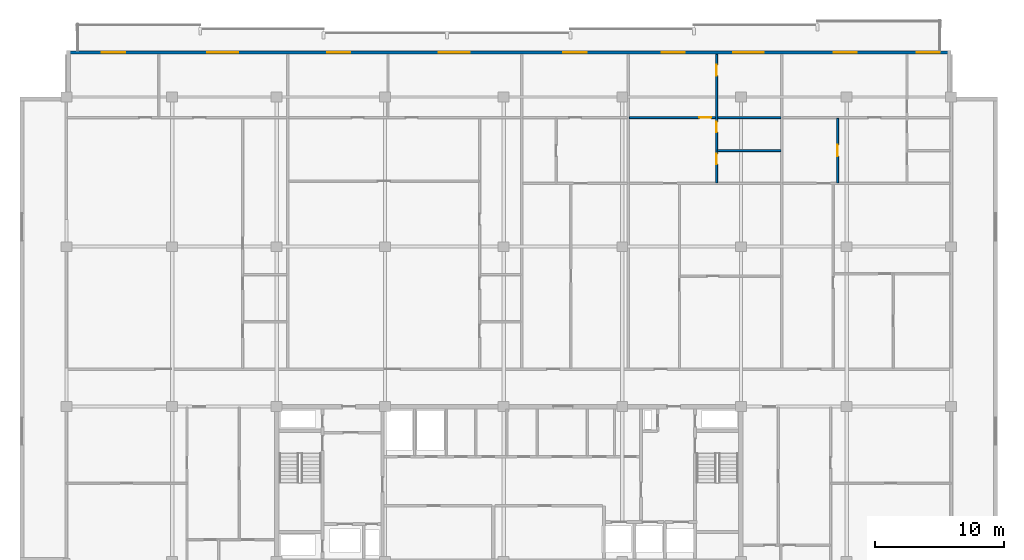
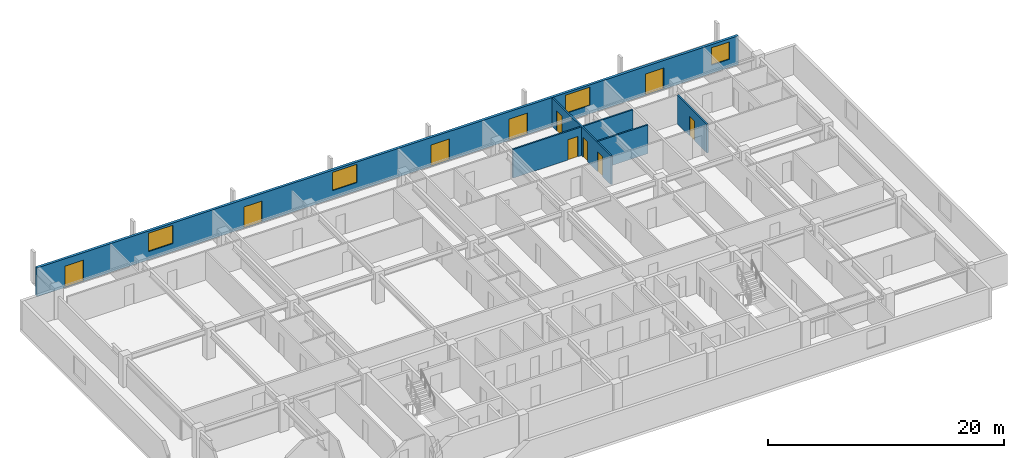
# One storey, part 15 of 22: 10 doors, 5 walls, 4 windows, 14 openings.
"""IFC4 building model written with IfcOpenShell, lengths in metres."""

from ifc_helpers import new_model, si_unit, direction, frame, frame_2d, origin, place, context, subcontext, project, spatial, rectangle, extrude, material, layer, layer_set, type_object, element, fill, save


model = new_model("IFC4")

# Units and contexts
model_context = context("Model", 3, precision=1e-05, world=origin(), true_north=direction((0.0, 1.0)))
body_context = subcontext(model_context, "Body", "Model", "MODEL_VIEW")
ifc_project = project(units=[si_unit("LENGTHUNIT", "METRE"), si_unit("AREAUNIT", "SQUARE_METRE"), si_unit("VOLUMEUNIT", "CUBIC_METRE"), si_unit("PLANEANGLEUNIT", "RADIAN"), si_unit("MASSUNIT", "GRAM", prefix="KILO")], contexts=[model_context])

# Site, building, storey
site_placement = place(None, origin())
site = spatial("IfcSite", under=ifc_project, at=site_placement, CompositionType="ELEMENT")
building_placement = place(site_placement, origin())
building = spatial("IfcBuilding", under=site, at=building_placement, Name="Korimba Cascade Residences", CompositionType="ELEMENT")
storey_placement = place(building_placement, frame((0.0, 0.0, 181.60009765625)))
storey = spatial("IfcBuildingStorey", under=building, at=storey_placement, Name="L52", CompositionType="ELEMENT", Elevation=181.60009765625)

# Wall, openings, doors, windows
ifc_material_1 = material(Name="Precast concrete C40/50", Category="concrete")
ifc_layer_1 = layer(ifc_material_1, 0.25)
ifc_layer_set_1 = layer_set([ifc_layer_1], Name="Precast concrete C40/50")
wall_type_1 = type_object("IfcWallType", Name="EW-LOG-250", PredefinedType="STANDARD", material=ifc_layer_set_1)
wall_1_placement = place(storey_placement, frame((128.39990234375, 94.64990234375, 0.0), z_axis=(0.0, 0.0, 1.0), x_axis=(-1.0, 0.0, 0.0)))
wall_1 = element("IfcWall", 1, at=wall_1_placement, inside=storey, type_object=wall_type_1, Name="L52 T1 Perimeter Stone Wall E06", PredefinedType="STANDARD", context=body_context, shape_type="SweptSolid", body=[
    extrude(rectangle(XDim=68.599853515625, YDim=0.25, at=frame_2d((34.2998046875, 0.0))), origin(), (0.0, 0.0, 1.0), 2.969970703125),
])
opening_1_placement = place(wall_1_placement, frame((64.057861328125, 0.0, 0.0)))
opening_1 = element("IfcOpeningElement", 2, at=opening_1_placement, cuts=wall_1, Name="Opening D-LG1", PredefinedType="OPENING", context=body_context, shape_type="SweptSolid", body=[
    extrude(rectangle(XDim=1.800048828125, YDim=2.199951171875, at=frame_2d((0.89990234375, 1.10009765625))), frame((0.0, 0.135009765625, 0.0), z_axis=(0.0, -1.0, 0.0), x_axis=(1.0, 0.0, 0.0)), (0.0, 0.0, 1.0), 0.27001953125),
])
opening_2_placement = place(wall_1_placement, frame((55.2939453125, 0.0, 0.85009765625)))
opening_2 = element("IfcOpeningElement", 3, at=opening_2_placement, cuts=wall_1, Name="Opening W-01", PredefinedType="OPENING", context=body_context, shape_type="SweptSolid", body=[
    extrude(rectangle(XDim=2.39990234375, YDim=1.89990234375, at=frame_2d((1.199951171875, 0.949951171875))), frame((0.0, 0.135009765625, 0.0), z_axis=(0.0, -1.0, 0.0), x_axis=(1.0, 0.0, 0.0)), (0.0, 0.0, 1.0), 0.27001953125),
])
opening_3_placement = place(wall_1_placement, frame((46.58837890625, 0.0, 0.0)))
opening_3 = element("IfcOpeningElement", 4, at=opening_3_placement, cuts=wall_1, Name="Opening D-LG1", PredefinedType="OPENING", context=body_context, shape_type="SweptSolid", body=[
    extrude(rectangle(XDim=1.800048828125, YDim=2.199951171875, at=frame_2d((0.89990234375, 1.10009765625))), frame((0.0, 0.135009765625, 0.0), z_axis=(0.0, -1.0, 0.0), x_axis=(1.0, 0.0, 0.0)), (0.0, 0.0, 1.0), 0.27001953125),
])
opening_4_placement = place(wall_1_placement, frame((37.3369140625, 0.0, 0.85009765625)))
opening_4 = element("IfcOpeningElement", 5, at=opening_4_placement, cuts=wall_1, Name="Opening W-01", PredefinedType="OPENING", context=body_context, shape_type="SweptSolid", body=[
    extrude(rectangle(XDim=2.39990234375, YDim=1.89990234375, at=frame_2d((1.199951171875, 0.949951171875))), frame((0.0, 0.135009765625, 0.0), z_axis=(0.0, -1.0, 0.0), x_axis=(1.0, 0.0, 0.0)), (0.0, 0.0, 1.0), 0.27001953125),
])
opening_5_placement = place(wall_1_placement, frame((28.259033203125, 0.0, 0.0)))
opening_5 = element("IfcOpeningElement", 6, at=opening_5_placement, cuts=wall_1, Name="Opening D-LG1", PredefinedType="OPENING", context=body_context, shape_type="SweptSolid", body=[
    extrude(rectangle(XDim=1.800048828125, YDim=2.199951171875, at=frame_2d((0.89990234375, 1.10009765625))), frame((0.0, 0.135009765625, 0.0), z_axis=(0.0, -1.0, 0.0), x_axis=(1.0, 0.0, 0.0)), (0.0, 0.0, 1.0), 0.27001953125),
])
opening_6_placement = place(wall_1_placement, frame((20.644775390625, 0.0, 0.0)))
opening_6 = element("IfcOpeningElement", 7, at=opening_6_placement, cuts=wall_1, Name="Opening D-LG1", PredefinedType="OPENING", context=body_context, shape_type="SweptSolid", body=[
    extrude(rectangle(XDim=1.800048828125, YDim=2.199951171875, at=frame_2d((0.89990234375, 1.10009765625))), frame((0.0, 0.135009765625, 0.0), z_axis=(0.0, -1.0, 0.0), x_axis=(1.0, 0.0, 0.0)), (0.0, 0.0, 1.0), 0.27001953125),
])
opening_7_placement = place(wall_1_placement, frame((14.511474609375, 0.0, 0.85009765625)))
opening_7 = element("IfcOpeningElement", 8, at=opening_7_placement, cuts=wall_1, Name="Opening W-01", PredefinedType="OPENING", context=body_context, shape_type="SweptSolid", body=[
    extrude(rectangle(XDim=2.39990234375, YDim=1.89990234375, at=frame_2d((1.199951171875, 0.949951171875))), frame((0.0, 0.135009765625, 0.0), z_axis=(0.0, -1.0, 0.0), x_axis=(1.0, 0.0, 0.0)), (0.0, 0.0, 1.0), 0.27001953125),
])
opening_8_placement = place(wall_1_placement, frame((7.311279296875, 0.0, 0.0)))
opening_8 = element("IfcOpeningElement", 9, at=opening_8_placement, cuts=wall_1, Name="Opening D-LG1", PredefinedType="OPENING", context=body_context, shape_type="SweptSolid", body=[
    extrude(rectangle(XDim=1.800048828125, YDim=2.199951171875, at=frame_2d((0.89990234375, 1.10009765625))), frame((0.0, 0.135009765625, 0.0), z_axis=(0.0, -1.0, 0.0), x_axis=(1.0, 0.0, 0.0)), (0.0, 0.0, 1.0), 0.27001953125),
])
opening_9_placement = place(wall_1_placement, frame((0.8701171875, 0.0, 0.85009765625)))
opening_9 = element("IfcOpeningElement", 10, at=opening_9_placement, cuts=wall_1, Name="Opening W-02", PredefinedType="OPENING", context=body_context, shape_type="SweptSolid", body=[
    extrude(rectangle(XDim=1.800048828125, YDim=1.800048828125, at=frame_2d((0.89990234375, 0.89990234375))), frame((0.0, 0.135009765625, 0.0), z_axis=(0.0, -1.0, 0.0), x_axis=(1.0, 0.0, 0.0)), (0.0, 0.0, 1.0), 0.27001953125),
])
ifc_material_2 = material(Name="Glazed Aluminium Loggia Sliding Door", Category="aluminium")
door_type_1 = type_object("IfcDoorType", Name="DR-EXT-LOG", OperationType="NOTDEFINED", PredefinedType="DOOR", material=ifc_material_2)
door_1_placement = place(opening_1_placement, origin())
door_1 = element("IfcDoor", 11, at=door_1_placement, inside=storey, type_object=door_type_1, Name="L52 T1 Loggia Sliding Door 3", OperationType="SLIDING_TO_LEFT", OverallHeight=2.199951171875, OverallWidth=1.800048828125, PredefinedType="DOOR", context=body_context, shape_type="SweptSolid", body=[
    extrude(rectangle(XDim=1.800048828125, YDim=2.199951171875, at=frame_2d((0.89990234375, 1.10009765625))), frame((0.0, 0.02490234375, 0.0), z_axis=(0.0, -1.0, 0.0), x_axis=(1.0, 0.0, 0.0)), (0.0, 0.0, 1.0), 0.050048828125),
])
fill(opening_1, door_1)
door_2_placement = place(opening_3_placement, origin())
door_2 = element("IfcDoor", 12, at=door_2_placement, inside=storey, type_object=door_type_1, Name="L52 T1 Loggia Sliding Door 5", OperationType="SLIDING_TO_LEFT", OverallHeight=2.199951171875, OverallWidth=1.800048828125, PredefinedType="DOOR", context=body_context, shape_type="SweptSolid", body=[
    extrude(rectangle(XDim=1.800048828125, YDim=2.199951171875, at=frame_2d((0.89990234375, 1.10009765625))), frame((0.0, 0.02490234375, 0.0), z_axis=(0.0, -1.0, 0.0), x_axis=(1.0, 0.0, 0.0)), (0.0, 0.0, 1.0), 0.050048828125),
])
fill(opening_3, door_2)
door_3_placement = place(opening_5_placement, origin())
door_3 = element("IfcDoor", 13, at=door_3_placement, inside=storey, type_object=door_type_1, Name="L52 T1 Loggia Sliding Door 7", OperationType="SLIDING_TO_LEFT", OverallHeight=2.199951171875, OverallWidth=1.800048828125, PredefinedType="DOOR", context=body_context, shape_type="SweptSolid", body=[
    extrude(rectangle(XDim=1.800048828125, YDim=2.199951171875, at=frame_2d((0.89990234375, 1.10009765625))), frame((0.0, 0.02490234375, 0.0), z_axis=(0.0, -1.0, 0.0), x_axis=(1.0, 0.0, 0.0)), (0.0, 0.0, 1.0), 0.050048828125),
])
fill(opening_5, door_3)
door_4_placement = place(opening_6_placement, origin())
door_4 = element("IfcDoor", 14, at=door_4_placement, inside=storey, type_object=door_type_1, Name="L52 T1 Loggia Sliding Door 8", OperationType="SLIDING_TO_LEFT", OverallHeight=2.199951171875, OverallWidth=1.800048828125, PredefinedType="DOOR", context=body_context, shape_type="SweptSolid", body=[
    extrude(rectangle(XDim=1.800048828125, YDim=2.199951171875, at=frame_2d((0.89990234375, 1.10009765625))), frame((0.0, 0.02490234375, 0.0), z_axis=(0.0, -1.0, 0.0), x_axis=(1.0, 0.0, 0.0)), (0.0, 0.0, 1.0), 0.050048828125),
])
fill(opening_6, door_4)
door_5_placement = place(opening_8_placement, origin())
door_5 = element("IfcDoor", 15, at=door_5_placement, inside=storey, type_object=door_type_1, Name="L52 T1 Loggia Sliding Door 10", OperationType="SLIDING_TO_LEFT", OverallHeight=2.199951171875, OverallWidth=1.800048828125, PredefinedType="DOOR", context=body_context, shape_type="SweptSolid", body=[
    extrude(rectangle(XDim=1.800048828125, YDim=2.199951171875, at=frame_2d((0.89990234375, 1.10009765625))), frame((0.0, 0.02490234375, 0.0), z_axis=(0.0, -1.0, 0.0), x_axis=(1.0, 0.0, 0.0)), (0.0, 0.0, 1.0), 0.050048828125),
])
fill(opening_8, door_5)
ifc_material_3 = material(Name="Double-Glazed Aluminium Window", Category="aluminium")
window_type_1 = type_object("IfcWindowType", Name="WIN-BED-1800", PartitioningType="SINGLE_PANEL", PredefinedType="WINDOW", material=ifc_material_3)
window_1_placement = place(opening_9_placement, origin())
window_1 = element("IfcWindow", 16, at=window_1_placement, inside=storey, type_object=window_type_1, Name="L52 T1 North Facade Window 11", OverallHeight=1.800048828125, OverallWidth=1.800048828125, PartitioningType="SINGLE_PANEL", PredefinedType="WINDOW", context=body_context, shape_type="SweptSolid", body=[
    extrude(rectangle(XDim=1.800048828125, YDim=1.800048828125, at=frame_2d((0.89990234375, 0.89990234375))), frame((0.0, 0.030029296875, 0.0), z_axis=(0.0, -1.0, 0.0), x_axis=(1.0, 0.0, 0.0)), (0.0, 0.0, 1.0), 0.06005859375),
])
fill(opening_9, window_1)
window_type_2 = type_object("IfcWindowType", Name="WIN-RES-2400", PartitioningType="DOUBLE_PANEL_VERTICAL", PredefinedType="WINDOW", material=ifc_material_3)
window_2_placement = place(opening_2_placement, origin())
window_2 = element("IfcWindow", 17, at=window_2_placement, inside=storey, type_object=window_type_2, Name="L52 T1 North Facade Window 4", OverallHeight=1.89990234375, OverallWidth=2.39990234375, PartitioningType="DOUBLE_PANEL_VERTICAL", PredefinedType="WINDOW", context=body_context, shape_type="SweptSolid", body=[
    extrude(rectangle(XDim=2.39990234375, YDim=1.89990234375, at=frame_2d((1.199951171875, 0.949951171875))), frame((0.0, 0.030029296875, 0.0), z_axis=(0.0, -1.0, 0.0), x_axis=(1.0, 0.0, 0.0)), (0.0, 0.0, 1.0), 0.06005859375),
])
fill(opening_2, window_2)
window_3_placement = place(opening_4_placement, origin())
window_3 = element("IfcWindow", 18, at=window_3_placement, inside=storey, type_object=window_type_2, Name="L52 T1 North Facade Window 6", OverallHeight=1.89990234375, OverallWidth=2.39990234375, PartitioningType="DOUBLE_PANEL_VERTICAL", PredefinedType="WINDOW", context=body_context, shape_type="SweptSolid", body=[
    extrude(rectangle(XDim=2.39990234375, YDim=1.89990234375, at=frame_2d((1.199951171875, 0.949951171875))), frame((0.0, 0.030029296875, 0.0), z_axis=(0.0, -1.0, 0.0), x_axis=(1.0, 0.0, 0.0)), (0.0, 0.0, 1.0), 0.06005859375),
])
fill(opening_4, window_3)
window_4_placement = place(opening_7_placement, origin())
window_4 = element("IfcWindow", 19, at=window_4_placement, inside=storey, type_object=window_type_2, Name="L52 T1 North Facade Window 9", OverallHeight=1.89990234375, OverallWidth=2.39990234375, PartitioningType="DOUBLE_PANEL_VERTICAL", PredefinedType="WINDOW", context=body_context, shape_type="SweptSolid", body=[
    extrude(rectangle(XDim=2.39990234375, YDim=1.89990234375, at=frame_2d((1.199951171875, 0.949951171875))), frame((0.0, 0.030029296875, 0.0), z_axis=(0.0, -1.0, 0.0), x_axis=(1.0, 0.0, 0.0)), (0.0, 0.0, 1.0), 0.06005859375),
])
fill(opening_7, window_4)

# Wall
ifc_material_4 = material(Name="Insulated Acoustic Stud Partition", Category="gypsum")
ifc_layer_2 = layer(ifc_material_4, 0.14990234375)
ifc_layer_set_2 = layer_set([ifc_layer_2], Name="Insulated Acoustic Stud Partition")
wall_type_2 = type_object("IfcWallType", Name="WAL-PART-150", PredefinedType="PARTITIONING", material=ifc_layer_set_2)
wall_2_placement = place(storey_placement, frame((110.280029296875, 87.0400390625, 0.0), z_axis=(0.0, 0.0, 1.0), x_axis=(1.0, 0.0, 0.0)))
element("IfcWall", 20, at=wall_2_placement, inside=storey, type_object=wall_type_2, Name="L52 Partition Wall WAL-L52-T1-U04-BLDIV", PredefinedType="PARTITIONING", context=body_context, shape_type="SweptSolid", body=[
    extrude(rectangle(XDim=4.917236328125, YDim=0.14990234375, at=frame_2d((2.45849609375, 0.0))), origin(), (0.0, 0.0, 1.0), 2.969970703125),
])

# Wall, openings, doors
wall_3_placement = place(storey_placement, frame((110.219970703125, 84.5400390625, 0.0), z_axis=(0.0, 0.0, 1.0), x_axis=(0.0, 1.0, 0.0)))
wall_3 = element("IfcWall", 21, at=wall_3_placement, inside=storey, type_object=wall_type_2, Name="L52 Partition Wall WAL-L52-T1-U04-V1", PredefinedType="PARTITIONING", context=body_context, shape_type="SweptSolid", body=[
    extrude(rectangle(XDim=9.9599609375, YDim=0.14990234375, at=frame_2d((4.97998046875, 0.0))), origin(), (0.0, 0.0, 1.0), 2.969970703125),
])
opening_10_placement = place(wall_3_placement, frame((1.430419921875, 0.0, 0.0)))
opening_10 = element("IfcOpeningElement", 22, at=opening_10_placement, cuts=wall_3, Name="Opening D-BT1", PredefinedType="OPENING", context=body_context, shape_type="SweptSolid", body=[
    extrude(rectangle(XDim=0.840087890625, YDim=2.0400390625, at=frame_2d((0.419921875, 1.02001953125))), frame((0.0, 0.0849609375, 0.0), z_axis=(0.0, -1.0, 0.0), x_axis=(1.0, 0.0, 0.0)), (0.0, 0.0, 1.0), 0.169921875),
])
opening_11_placement = place(wall_3_placement, frame((3.919921875, 0.0, 0.0)))
opening_11 = element("IfcOpeningElement", 23, at=opening_11_placement, cuts=wall_3, Name="Opening D-BT1", PredefinedType="OPENING", context=body_context, shape_type="SweptSolid", body=[
    extrude(rectangle(XDim=0.840087890625, YDim=2.0400390625, at=frame_2d((0.419921875, 1.02001953125))), frame((0.0, 0.0849609375, 0.0), z_axis=(0.0, -1.0, 0.0), x_axis=(1.0, 0.0, 0.0)), (0.0, 0.0, 1.0), 0.169921875),
])
opening_12_placement = place(wall_3_placement, frame((8.297119140625, 0.0, 0.0)))
opening_12 = element("IfcOpeningElement", 24, at=opening_12_placement, cuts=wall_3, Name="Opening D-IN2", PredefinedType="OPENING", context=body_context, shape_type="SweptSolid", body=[
    extrude(rectangle(XDim=0.8798828125, YDim=2.06005859375, at=frame_2d((0.43994140625, 1.030029296875))), frame((0.0, 0.0849609375, 0.0), z_axis=(0.0, -1.0, 0.0), x_axis=(1.0, 0.0, 0.0)), (0.0, 0.0, 1.0), 0.169921875),
])
ifc_material_5 = material(Name="Moisture-Resistant Bathroom Timber Door", Category="wood")
door_type_2 = type_object("IfcDoorType", Name="DR-INT-850", OperationType="NOTDEFINED", PredefinedType="DOOR", material=ifc_material_5)
door_6_placement = place(opening_10_placement, origin())
door_6 = element("IfcDoor", 25, at=door_6_placement, inside=storey, type_object=door_type_2, Name="L52-T1-U04 Bathroom Door", OperationType="SINGLE_SWING_LEFT", OverallHeight=2.0400390625, OverallWidth=0.840087890625, PredefinedType="DOOR", context=body_context, shape_type="SweptSolid", body=[
    extrude(rectangle(XDim=0.840087890625, YDim=2.0400390625, at=frame_2d((0.419921875, 1.02001953125))), frame((0.0, 0.02490234375, 0.0), z_axis=(0.0, -1.0, 0.0), x_axis=(1.0, 0.0, 0.0)), (0.0, 0.0, 1.0), 0.050048828125),
])
fill(opening_10, door_6)
door_7_placement = place(opening_11_placement, origin())
door_7 = element("IfcDoor", 26, at=door_7_placement, inside=storey, type_object=door_type_2, Name="L52-T1-U04 Laundry Door", OperationType="SINGLE_SWING_RIGHT", OverallHeight=2.0400390625, OverallWidth=0.840087890625, PredefinedType="DOOR", context=body_context, shape_type="SweptSolid", body=[
    extrude(rectangle(XDim=0.840087890625, YDim=2.0400390625, at=frame_2d((0.419921875, 1.02001953125))), frame((0.0, 0.02490234375, 0.0), z_axis=(0.0, -1.0, 0.0), x_axis=(1.0, 0.0, 0.0)), (0.0, 0.0, 1.0), 0.050048828125),
])
fill(opening_11, door_7)
ifc_material_6 = material(Name="Acoustic Timber Bedroom Door", Category="wood")
door_type_3 = type_object("IfcDoorType", Name="DR-INT-880", OperationType="NOTDEFINED", PredefinedType="DOOR", material=ifc_material_6)
door_8_placement = place(opening_12_placement, origin())
door_8 = element("IfcDoor", 27, at=door_8_placement, inside=storey, type_object=door_type_3, Name="L52-T1-U04 Bedroom 1 Door", OperationType="SINGLE_SWING_LEFT", OverallHeight=2.06005859375, OverallWidth=0.8798828125, PredefinedType="DOOR", context=body_context, shape_type="SweptSolid", body=[
    extrude(rectangle(XDim=0.8798828125, YDim=2.06005859375, at=frame_2d((0.43994140625, 1.030029296875))), frame((0.0, 0.02490234375, 0.0), z_axis=(0.0, -1.0, 0.0), x_axis=(1.0, 0.0, 0.0)), (0.0, 0.0, 1.0), 0.050048828125),
])
fill(opening_12, door_8)

# Wall, opening, door
wall_4_placement = place(storey_placement, frame((103.450439453125, 89.60009765625, 0.0), z_axis=(0.0, 0.0, 1.0), x_axis=(1.0, 0.0, 0.0)))
wall_4 = element("IfcWall", 28, at=wall_4_placement, inside=storey, type_object=wall_type_2, Name="L52 Partition Wall WAL-L52-T1-U04-HZ", PredefinedType="PARTITIONING", context=body_context, shape_type="SweptSolid", body=[
    extrude(rectangle(XDim=11.746826171875, YDim=0.14990234375, at=frame_2d((5.87353515625, 0.0))), origin(), (0.0, 0.0, 1.0), 2.969970703125),
])
opening_13_placement = place(wall_4_placement, frame((5.4033203125, 0.0, 0.0)))
opening_13 = element("IfcOpeningElement", 29, at=opening_13_placement, cuts=wall_4, Name="Opening D-IN0", PredefinedType="OPENING", context=body_context, shape_type="SweptSolid", body=[
    extrude(rectangle(XDim=0.93994140625, YDim=2.10009765625, at=frame_2d((0.469970703125, 1.050048828125))), frame((0.0, 0.0849609375, 0.0), z_axis=(0.0, -1.0, 0.0), x_axis=(1.0, 0.0, 0.0)), (0.0, 0.0, 1.0), 0.169921875),
])
ifc_material_7 = material(Name="Acoustic Timber Living Archway Door", Category="wood")
door_type_4 = type_object("IfcDoorType", Name="DR-INT-950", OperationType="NOTDEFINED", PredefinedType="DOOR", material=ifc_material_7)
door_9_placement = place(opening_13_placement, origin())
door_9 = element("IfcDoor", 30, at=door_9_placement, inside=storey, type_object=door_type_4, Name="L52-T1-U04 Living Archway Door", OperationType="SINGLE_SWING_LEFT", OverallHeight=2.10009765625, OverallWidth=0.93994140625, PredefinedType="DOOR", context=body_context, shape_type="SweptSolid", body=[
    extrude(rectangle(XDim=0.93994140625, YDim=2.10009765625, at=frame_2d((0.469970703125, 1.050048828125))), frame((0.0, 0.02490234375, 0.0), z_axis=(0.0, -1.0, 0.0), x_axis=(1.0, 0.0, 0.0)), (0.0, 0.0, 1.0), 0.050048828125),
])
fill(opening_13, door_9)

wall_5_placement = place(storey_placement, frame((119.597412109375, 84.5400390625, 0.0), z_axis=(0.0, 0.0, 1.0), x_axis=(0.0, 1.0, 0.0)))
wall_5 = element("IfcWall", 31, at=wall_5_placement, inside=storey, type_object=wall_type_2, Name="L52 Partition Wall WAL-L52-T1-U05-VDIN", PredefinedType="PARTITIONING", context=body_context, shape_type="SweptSolid", body=[
    extrude(rectangle(XDim=5.0, YDim=0.14990234375, at=frame_2d((2.5, 0.0))), origin(), (0.0, 0.0, 1.0), 2.969970703125),
])
opening_14_placement = place(wall_5_placement, frame((2.06005859375, 0.0, 0.0)))
opening_14 = element("IfcOpeningElement", 32, at=opening_14_placement, cuts=wall_5, Name="Opening D-IN2", PredefinedType="OPENING", context=body_context, shape_type="SweptSolid", body=[
    extrude(rectangle(XDim=0.8798828125, YDim=2.06005859375, at=frame_2d((0.43994140625, 1.030029296875))), frame((0.0, 0.0849609375, 0.0), z_axis=(0.0, -1.0, 0.0), x_axis=(1.0, 0.0, 0.0)), (0.0, 0.0, 1.0), 0.169921875),
])
door_10_placement = place(opening_14_placement, origin())
door_10 = element("IfcDoor", 33, at=door_10_placement, inside=storey, type_object=door_type_3, Name="L52-T1-U05 Dining Room Door", OperationType="SINGLE_SWING_LEFT", OverallHeight=2.06005859375, OverallWidth=0.8798828125, PredefinedType="DOOR", context=body_context, shape_type="SweptSolid", body=[
    extrude(rectangle(XDim=0.8798828125, YDim=2.06005859375, at=frame_2d((0.43994140625, 1.030029296875))), frame((0.0, 0.02490234375, 0.0), z_axis=(0.0, -1.0, 0.0), x_axis=(1.0, 0.0, 0.0)), (0.0, 0.0, 1.0), 0.050048828125),
])
fill(opening_14, door_10)

save(model, "model.ifc")
